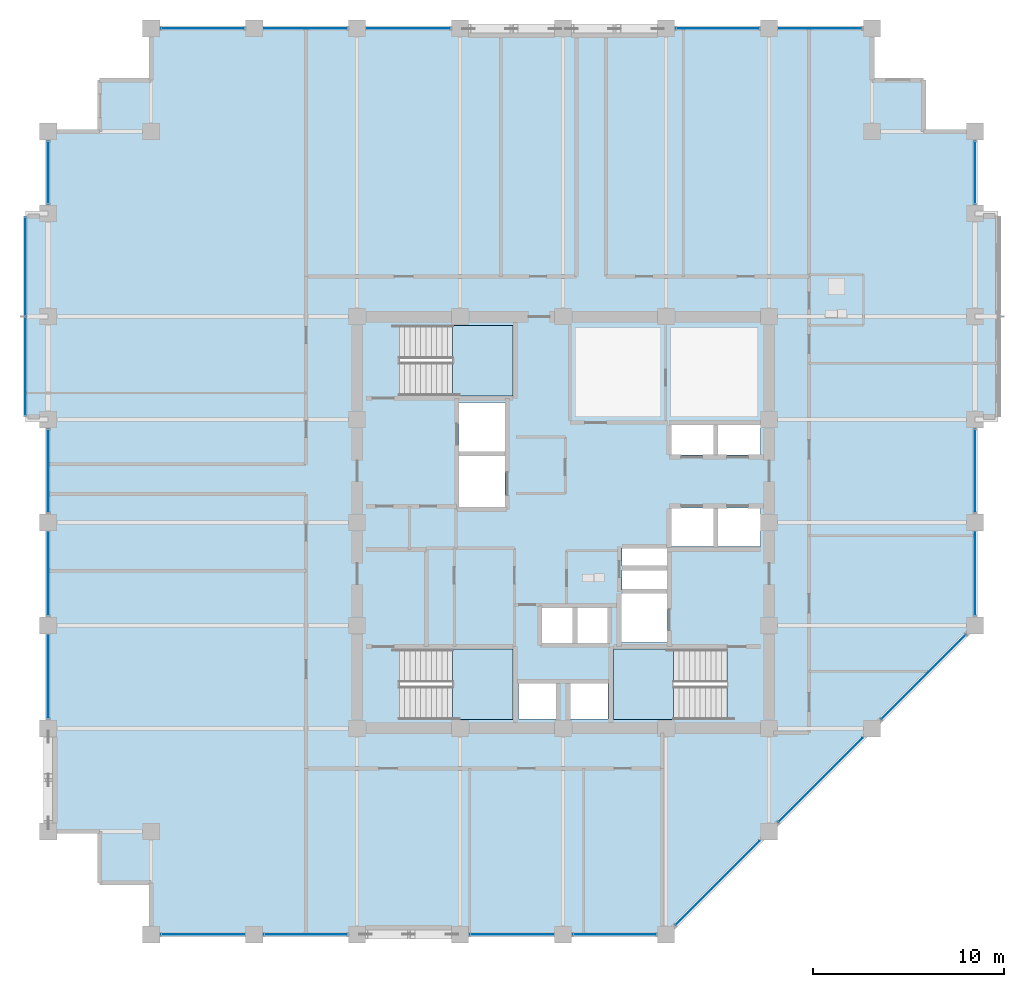
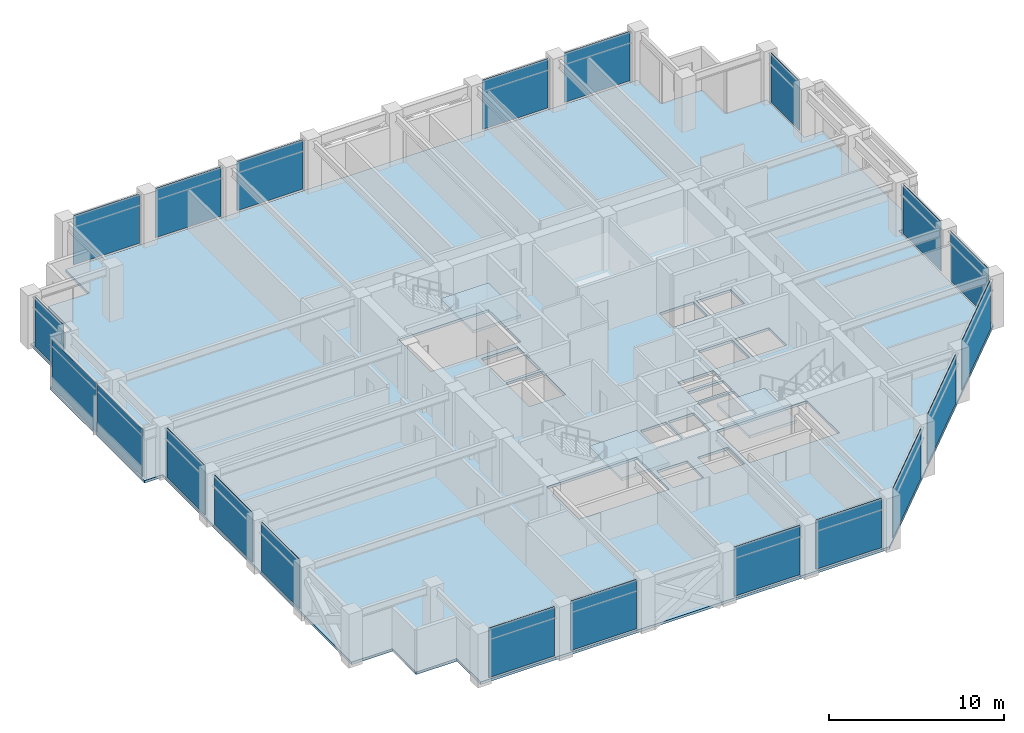
# One storey, part 25 of 32: 21 plates, 4 slabs, 13 elements without a shape of their own.
"""IFC4 building model written with IfcOpenShell, lengths in metres."""

from ifc_helpers import new_model, si_unit, direction, frame, frame_2d, origin, place, context, subcontext, project, spatial, polyline, rectangle, outline, extrude, material, layer, layer_set, type_object, element, aggregate, save


model = new_model("IFC4")

# Units and contexts
model_context = context("Model", 3, precision=1e-05, world=origin(), true_north=direction((0.0, 1.0)))
body_context = subcontext(model_context, "Body", "Model", "MODEL_VIEW")
ifc_project = project(units=[si_unit("LENGTHUNIT", "METRE"), si_unit("AREAUNIT", "SQUARE_METRE"), si_unit("VOLUMEUNIT", "CUBIC_METRE"), si_unit("PLANEANGLEUNIT", "RADIAN"), si_unit("MASSUNIT", "GRAM", prefix="KILO")], contexts=[model_context])

# Site, building, storey
site_placement = place(None, origin())
site = spatial("IfcSite", under=ifc_project, at=site_placement, CompositionType="ELEMENT")
building_placement = place(site_placement, origin())
building = spatial("IfcBuilding", under=site, at=building_placement, Name="Surkhivell Harbour Commons", CompositionType="ELEMENT")
storey_placement = place(building_placement, frame((0.0, 0.0, 189.75)))
storey = spatial("IfcBuildingStorey", under=building, at=storey_placement, Name="L49", CompositionType="ELEMENT", Elevation=189.75)

# Curtain wall, plates
ifc_material_1 = material(Name="Anodised pale-metal aluminium and insulated glazing", Category="aluminium")
ifc_layer_1 = layer(ifc_material_1, 0.1650390625)
ifc_layer_set_1 = layer_set([ifc_layer_1], Name="Anodised pale-metal aluminium and insulated glazing")
curtain_wall_type_1 = type_object("IfcCurtainWallType", Name="CW-SYS-BOX", PredefinedType="NOTDEFINED", material=ifc_layer_set_1)
curtain_wall_1_placement = place(storey_placement, origin())
curtain_wall_1 = element("IfcCurtainWall", 1, at=curtain_wall_1_placement, inside=storey, type_object=curtain_wall_type_1, Name="L49 Curtain Wall CW-L49-BOX02", PredefinedType="NOTDEFINED")
ifc_material_2 = material(Name="Triple-glazed bay-cluster vision glass", Category="glass")
ifc_layer_2 = layer(ifc_material_2, 0.028076171875)
ifc_layer_set_2 = layer_set([ifc_layer_2], Name="Triple-glazed bay-cluster vision glass")
plate_type_1 = type_object("IfcPlateType", Name="CWP-GLZ-28", PredefinedType="CURTAIN_PANEL", material=ifc_layer_set_2)
plate_1_placement = place(storey_placement, frame((-28.199951171875, 5.6201171875, 0.1298828125), z_axis=(0.0, 0.0, 1.0), x_axis=(0.0, 1.0, 0.0)))
plate_1 = element("IfcPlate", 2, at=plate_1_placement, type_object=plate_type_1, Name="CW-BOX panel 1.1", PredefinedType="CURTAIN_PANEL", context=body_context, shape_type="SweptSolid", body=[
    extrude(rectangle(XDim=5.144775390625, YDim=0.028076171875, at=frame_2d((2.572265625, 0.0))), origin(), (0.0, 0.0, 1.0), 3.31005859375),
])
plate_2_placement = place(storey_placement, frame((-28.199951171875, 10.8349609375, 0.1298828125), z_axis=(0.0, 0.0, 1.0), x_axis=(0.0, 1.0, 0.0)))
plate_2 = element("IfcPlate", 3, at=plate_2_placement, type_object=plate_type_1, Name="CW-BOX panel 2.1", PredefinedType="CURTAIN_PANEL", context=body_context, shape_type="SweptSolid", body=[
    extrude(rectangle(XDim=5.14501953125, YDim=0.028076171875, at=frame_2d((2.572509765625, 0.0))), origin(), (0.0, 0.0, 1.0), 3.31005859375),
])
aggregate(curtain_wall_1, [plate_1, plate_2])

ifc_layer_3 = layer(ifc_material_1, 0.18994140625)
ifc_layer_set_3 = layer_set([ifc_layer_3], Name="Anodised pale-metal aluminium and insulated glazing")
curtain_wall_type_2 = type_object("IfcCurtainWallType", Name="CW-SYS-Z3", PredefinedType="NOTDEFINED", material=ifc_layer_set_3)
curtain_wall_2_placement = place(storey_placement, origin())
curtain_wall_2 = element("IfcCurtainWall", 4, at=curtain_wall_2_placement, inside=storey, type_object=curtain_wall_type_2, Name="L49 Curtain Wall CW-L49-E00S1", PredefinedType="NOTDEFINED")
ifc_material_3 = material(Name="High-pressure typhoon laminated vision glass", Category="glass")
ifc_layer_4 = layer(ifc_material_3, 0.035888671875)
ifc_layer_set_4 = layer_set([ifc_layer_4], Name="High-pressure typhoon laminated vision glass")
plate_type_2 = type_object("IfcPlateType", Name="CWP-GLZ-36", PredefinedType="CURTAIN_PANEL", material=ifc_layer_set_4)
plate_3_placement = place(storey_placement, frame((-21.072998046875, -21.60009765625, 0.1298828125), z_axis=(0.0, 0.0, 1.0), x_axis=(1.0, 0.0, 0.0)))
plate_3 = element("IfcPlate", 5, at=plate_3_placement, type_object=plate_type_2, Name="CW-Z3 panel 1.1", PredefinedType="CURTAIN_PANEL", context=body_context, shape_type="SweptSolid", body=[
    extrude(rectangle(XDim=4.345947265625, YDim=0.035888671875, at=frame_2d((2.1728515625, 0.0))), origin(), (0.0, 0.0, 1.0), 3.440185546875),
])
plate_4_placement = place(storey_placement, frame((-15.673095703125, -21.60009765625, 0.1298828125), z_axis=(0.0, 0.0, 1.0), x_axis=(1.0, 0.0, 0.0)))
plate_4 = element("IfcPlate", 6, at=plate_4_placement, type_object=plate_type_2, Name="CW-Z3 panel 2.1", PredefinedType="CURTAIN_PANEL", context=body_context, shape_type="SweptSolid", body=[
    extrude(rectangle(XDim=4.34619140625, YDim=0.035888671875, at=frame_2d((2.173095703125, 0.0))), origin(), (0.0, 0.0, 1.0), 3.440185546875),
])
aggregate(curtain_wall_2, [plate_3, plate_4])

curtain_wall_3_placement = place(storey_placement, origin())
curtain_wall_3 = element("IfcCurtainWall", 7, at=curtain_wall_3_placement, inside=storey, type_object=curtain_wall_type_2, Name="L49 Curtain Wall CW-L49-E00S2", PredefinedType="NOTDEFINED")
plate_5_placement = place(storey_placement, frame((-4.873046875, -21.60009765625, 0.1298828125), z_axis=(0.0, 0.0, 1.0), x_axis=(1.0, 0.0, 0.0)))
plate_5 = element("IfcPlate", 8, at=plate_5_placement, type_object=plate_type_2, Name="CW-Z3 panel 1.1", PredefinedType="CURTAIN_PANEL", context=body_context, shape_type="SweptSolid", body=[
    extrude(rectangle(XDim=4.345947265625, YDim=0.035888671875, at=frame_2d((2.1728515625, 0.0))), origin(), (0.0, 0.0, 1.0), 3.440185546875),
])
plate_6_placement = place(storey_placement, frame((0.527099609375, -21.60009765625, 0.1298828125), z_axis=(0.0, 0.0, 1.0), x_axis=(1.0, 0.0, 0.0)))
plate_6 = element("IfcPlate", 9, at=plate_6_placement, type_object=plate_type_2, Name="CW-Z3 panel 2.1", PredefinedType="CURTAIN_PANEL", context=body_context, shape_type="SweptSolid", body=[
    extrude(rectangle(XDim=4.345947265625, YDim=0.035888671875, at=frame_2d((2.1728515625, 0.0))), origin(), (0.0, 0.0, 1.0), 3.440185546875),
])
aggregate(curtain_wall_3, [plate_5, plate_6])

curtain_wall_4_placement = place(storey_placement, origin())
curtain_wall_4 = element("IfcCurtainWall", 10, at=curtain_wall_4_placement, inside=storey, type_object=curtain_wall_type_2, Name="L49 Curtain Wall CW-L49-E01", PredefinedType="NOTDEFINED")
plate_7_placement = place(storey_placement, frame((5.90478515625, -21.09521484375, 0.1298828125), z_axis=(0.0, 0.0, 1.0), x_axis=(0.707106781187, 0.707106781187, 0.0)))
plate_7 = element("IfcPlate", 11, at=plate_7_placement, type_object=plate_type_2, Name="CW-Z3 panel 1.1", PredefinedType="CURTAIN_PANEL", context=body_context, shape_type="SweptSolid", body=[
    extrude(rectangle(XDim=6.209228515625, YDim=0.035888671875, at=frame_2d((3.1044921875, 0.0))), origin(), (0.0, 0.0, 1.0), 3.440185546875),
])
plate_8_placement = place(storey_placement, frame((11.3046875, -15.6953125, 0.1298828125), z_axis=(0.0, 0.0, 1.0), x_axis=(0.707106781187, 0.707106781187, 0.0)))
plate_8 = element("IfcPlate", 12, at=plate_8_placement, type_object=plate_type_2, Name="CW-Z3 panel 2.1", PredefinedType="CURTAIN_PANEL", context=body_context, shape_type="SweptSolid", body=[
    extrude(rectangle(XDim=6.209228515625, YDim=0.035888671875, at=frame_2d((3.1044921875, 0.0))), origin(), (0.0, 0.0, 1.0), 3.440185546875),
])
plate_9_placement = place(storey_placement, frame((16.70458984375, -10.29541015625, 0.1298828125), z_axis=(0.0, 0.0, 1.0), x_axis=(0.707106781187, 0.707106781187, 0.0)))
plate_9 = element("IfcPlate", 13, at=plate_9_placement, type_object=plate_type_2, Name="CW-Z3 panel 3.1", PredefinedType="CURTAIN_PANEL", context=body_context, shape_type="SweptSolid", body=[
    extrude(rectangle(XDim=6.209228515625, YDim=0.035888671875, at=frame_2d((3.1044921875, 0.0))), origin(), (0.0, 0.0, 1.0), 3.440185546875),
])
aggregate(curtain_wall_4, [plate_7, plate_8, plate_9])

curtain_wall_5_placement = place(storey_placement, origin())
curtain_wall_5 = element("IfcCurtainWall", 14, at=curtain_wall_5_placement, inside=storey, type_object=curtain_wall_type_2, Name="L49 Curtain Wall CW-L49-E02R1", PredefinedType="NOTDEFINED")
plate_10_placement = place(storey_placement, frame((21.60009765625, -4.873046875, 0.1298828125), z_axis=(0.0, 0.0, 1.0), x_axis=(0.0, 1.0, 0.0)))
plate_10 = element("IfcPlate", 15, at=plate_10_placement, type_object=plate_type_2, Name="CW-Z3 panel 1.1", PredefinedType="CURTAIN_PANEL", context=body_context, shape_type="SweptSolid", body=[
    extrude(rectangle(XDim=4.345947265625, YDim=0.035888671875, at=frame_2d((2.1728515625, 0.0))), origin(), (0.0, 0.0, 1.0), 3.440185546875),
])
plate_11_placement = place(storey_placement, frame((21.60009765625, 0.527099609375, 0.1298828125), z_axis=(0.0, 0.0, 1.0), x_axis=(0.0, 1.0, 0.0)))
plate_11 = element("IfcPlate", 16, at=plate_11_placement, type_object=plate_type_2, Name="CW-Z3 panel 2.1", PredefinedType="CURTAIN_PANEL", context=body_context, shape_type="SweptSolid", body=[
    extrude(rectangle(XDim=4.345947265625, YDim=0.035888671875, at=frame_2d((2.1728515625, 0.0))), origin(), (0.0, 0.0, 1.0), 3.440185546875),
])
aggregate(curtain_wall_5, [plate_10, plate_11])

# Curtain wall, plate
curtain_wall_6_placement = place(storey_placement, origin())
curtain_wall_6 = element("IfcCurtainWall", 17, at=curtain_wall_6_placement, inside=storey, type_object=curtain_wall_type_2, Name="L49 Curtain Wall CW-L49-E02R2", PredefinedType="NOTDEFINED")
plate_12_placement = place(storey_placement, frame((21.60009765625, 16.72705078125, 0.1298828125), z_axis=(0.0, 0.0, 1.0), x_axis=(0.0, 1.0, 0.0)))
plate_12 = element("IfcPlate", 18, at=plate_12_placement, type_object=plate_type_2, Name="CW-Z3 panel 1.1", PredefinedType="CURTAIN_PANEL", context=body_context, shape_type="SweptSolid", body=[
    extrude(rectangle(XDim=3.245849609375, YDim=0.035888671875, at=frame_2d((1.623046875, 0.0))), origin(), (0.0, 0.0, 1.0), 3.440185546875),
])
aggregate(curtain_wall_6, [plate_12])

# Curtain wall, plates
curtain_wall_7_placement = place(storey_placement, origin())
curtain_wall_7 = element("IfcCurtainWall", 19, at=curtain_wall_7_placement, inside=storey, type_object=curtain_wall_type_2, Name="L49 Curtain Wall CW-L49-E07S1", PredefinedType="NOTDEFINED")
plate_13_placement = place(storey_placement, frame((15.673095703125, 25.89990234375, 0.1298828125), z_axis=(0.0, 0.0, 1.0), x_axis=(-1.0, 0.0, 0.0)))
plate_13 = element("IfcPlate", 20, at=plate_13_placement, type_object=plate_type_2, Name="CW-Z3 panel 1.1", PredefinedType="CURTAIN_PANEL", context=body_context, shape_type="SweptSolid", body=[
    extrude(rectangle(XDim=4.34619140625, YDim=0.035888671875, at=frame_2d((2.173095703125, 0.0))), origin(), (0.0, 0.0, 1.0), 3.440185546875),
])
plate_14_placement = place(storey_placement, frame((10.27294921875, 25.89990234375, 0.1298828125), z_axis=(0.0, 0.0, 1.0), x_axis=(-1.0, 0.0, 0.0)))
plate_14 = element("IfcPlate", 21, at=plate_14_placement, type_object=plate_type_2, Name="CW-Z3 panel 2.1", PredefinedType="CURTAIN_PANEL", context=body_context, shape_type="SweptSolid", body=[
    extrude(rectangle(XDim=4.345947265625, YDim=0.035888671875, at=frame_2d((2.1728515625, 0.0))), origin(), (0.0, 0.0, 1.0), 3.440185546875),
])
aggregate(curtain_wall_7, [plate_13, plate_14])

curtain_wall_8_placement = place(storey_placement, origin())
curtain_wall_8 = element("IfcCurtainWall", 22, at=curtain_wall_8_placement, inside=storey, type_object=curtain_wall_type_2, Name="L49 Curtain Wall CW-L49-E07S2", PredefinedType="NOTDEFINED")
plate_15_placement = place(storey_placement, frame((-5.927001953125, 25.89990234375, 0.1298828125), z_axis=(0.0, 0.0, 1.0), x_axis=(-1.0, 0.0, 0.0)))
plate_15 = element("IfcPlate", 23, at=plate_15_placement, type_object=plate_type_2, Name="CW-Z3 panel 1.1", PredefinedType="CURTAIN_PANEL", context=body_context, shape_type="SweptSolid", body=[
    extrude(rectangle(XDim=4.345947265625, YDim=0.035888671875, at=frame_2d((2.1728515625, 0.0))), origin(), (0.0, 0.0, 1.0), 3.440185546875),
])
plate_16_placement = place(storey_placement, frame((-11.326904296875, 25.89990234375, 0.1298828125), z_axis=(0.0, 0.0, 1.0), x_axis=(-1.0, 0.0, 0.0)))
plate_16 = element("IfcPlate", 24, at=plate_16_placement, type_object=plate_type_2, Name="CW-Z3 panel 2.1", PredefinedType="CURTAIN_PANEL", context=body_context, shape_type="SweptSolid", body=[
    extrude(rectangle(XDim=4.34619140625, YDim=0.035888671875, at=frame_2d((2.173095703125, 0.0))), origin(), (0.0, 0.0, 1.0), 3.440185546875),
])
plate_17_placement = place(storey_placement, frame((-16.72705078125, 25.89990234375, 0.1298828125), z_axis=(0.0, 0.0, 1.0), x_axis=(-1.0, 0.0, 0.0)))
plate_17 = element("IfcPlate", 25, at=plate_17_placement, type_object=plate_type_2, Name="CW-Z3 panel 3.1", PredefinedType="CURTAIN_PANEL", context=body_context, shape_type="SweptSolid", body=[
    extrude(rectangle(XDim=4.345947265625, YDim=0.035888671875, at=frame_2d((2.1728515625, 0.0))), origin(), (0.0, 0.0, 1.0), 3.440185546875),
])
aggregate(curtain_wall_8, [plate_15, plate_16, plate_17])

curtain_wall_9_placement = place(storey_placement, origin())
curtain_wall_9 = element("IfcCurtainWall", 26, at=curtain_wall_9_placement, inside=storey, type_object=curtain_wall_type_2, Name="L49 Curtain Wall CW-L49-E12R1S1", PredefinedType="NOTDEFINED")
plate_18_placement = place(storey_placement, frame((-27.0, -10.27294921875, 0.1298828125), z_axis=(0.0, 0.0, 1.0), x_axis=(0.0, 1.0, 0.0)))
plate_18 = element("IfcPlate", 27, at=plate_18_placement, type_object=plate_type_2, Name="CW-Z3 panel 1.1", PredefinedType="CURTAIN_PANEL", context=body_context, shape_type="SweptSolid", body=[
    extrude(rectangle(XDim=4.345947265625, YDim=0.035888671875, at=frame_2d((2.1728515625, 0.0))), origin(), (0.0, 0.0, 1.0), 3.440185546875),
])
plate_19_placement = place(storey_placement, frame((-27.0, -4.873046875, 0.1298828125), z_axis=(0.0, 0.0, 1.0), x_axis=(0.0, 1.0, 0.0)))
plate_19 = element("IfcPlate", 28, at=plate_19_placement, type_object=plate_type_2, Name="CW-Z3 panel 2.1", PredefinedType="CURTAIN_PANEL", context=body_context, shape_type="SweptSolid", body=[
    extrude(rectangle(XDim=4.345947265625, YDim=0.035888671875, at=frame_2d((2.1728515625, 0.0))), origin(), (0.0, 0.0, 1.0), 3.440185546875),
])
plate_20_placement = place(storey_placement, frame((-27.0, 0.527099609375, 0.1298828125), z_axis=(0.0, 0.0, 1.0), x_axis=(0.0, 1.0, 0.0)))
plate_20 = element("IfcPlate", 29, at=plate_20_placement, type_object=plate_type_2, Name="CW-Z3 panel 3.1", PredefinedType="CURTAIN_PANEL", context=body_context, shape_type="SweptSolid", body=[
    extrude(rectangle(XDim=4.345947265625, YDim=0.035888671875, at=frame_2d((2.1728515625, 0.0))), origin(), (0.0, 0.0, 1.0), 3.440185546875),
])
aggregate(curtain_wall_9, [plate_18, plate_19, plate_20])

# Curtain wall, plate
curtain_wall_10_placement = place(storey_placement, origin())
curtain_wall_10 = element("IfcCurtainWall", 30, at=curtain_wall_10_placement, inside=storey, type_object=curtain_wall_type_2, Name="L49 Curtain Wall CW-L49-E12R2", PredefinedType="NOTDEFINED")
plate_21_placement = place(storey_placement, frame((-27.0, 16.72705078125, 0.1298828125), z_axis=(0.0, 0.0, 1.0), x_axis=(0.0, 1.0, 0.0)))
plate_21 = element("IfcPlate", 31, at=plate_21_placement, type_object=plate_type_2, Name="CW-Z3 panel 1.1", PredefinedType="CURTAIN_PANEL", context=body_context, shape_type="SweptSolid", body=[
    extrude(rectangle(XDim=3.245849609375, YDim=0.035888671875, at=frame_2d((1.623046875, 0.0))), origin(), (0.0, 0.0, 1.0), 3.440185546875),
])
aggregate(curtain_wall_10, [plate_21])

# Stair, slab
ifc_material_4 = material(Name="Precast concrete C45/55", Category="concrete")
stair_type = type_object("IfcStairType", Name="STR-DL-375", PredefinedType="HALF_TURN_STAIR", material=ifc_material_4)
stair_1_placement = place(storey_placement, origin())
stair_1 = element("IfcStair", 32, at=stair_1_placement, inside=storey, type_object=stair_type, Name="L49 Core Exit Stair ST1", PredefinedType="HALF_TURN_STAIR")
ifc_material_5 = material(Name="Reinforced concrete C45/55", Category="concrete")
ifc_layer_5 = layer(ifc_material_5, 0.199951171875)
ifc_layer_set_5 = layer_set([ifc_layer_5], Name="Reinforced concrete C45/55")
slab_type_1 = type_object("IfcSlabType", Name="SLB-ST-LND200", PredefinedType="LANDING", material=ifc_layer_set_5)
slab_1_placement = place(storey_placement, frame((0.0, 0.0, 1.675048828125)))
slab_1 = element("IfcSlab", 33, at=slab_1_placement, type_object=slab_type_1, Name="ST1 landing 1", PredefinedType="LANDING", context=body_context, shape_type="SweptSolid", body=[
    extrude(outline(polyline([(-5.7900390625, 6.639892578125), (-2.639892578125, 6.639892578125), (-2.639892578125, 10.340087890625), (-5.7900390625, 10.340087890625), (-5.7900390625, 6.639892578125)])), origin(), (0.0, 0.0, 1.0), 0.199951171875),
])
aggregate(stair_1, [slab_1])

stair_2_placement = place(storey_placement, origin())
stair_2 = element("IfcStair", 34, at=stair_2_placement, inside=storey, type_object=stair_type, Name="L49 Core Exit Stair ST2", PredefinedType="HALF_TURN_STAIR")
slab_2_placement = place(storey_placement, frame((0.0, 0.0, 1.675048828125)))
slab_2 = element("IfcSlab", 35, at=slab_2_placement, type_object=slab_type_1, Name="ST2 landing 1", PredefinedType="LANDING", context=body_context, shape_type="SweptSolid", body=[
    extrude(outline(polyline([(5.7900390625, -6.639892578125), (2.639892578125, -6.639892578125), (2.639892578125, -10.340087890625), (5.7900390625, -10.340087890625), (5.7900390625, -6.639892578125)])), origin(), (0.0, 0.0, 1.0), 0.199951171875),
])
aggregate(stair_2, [slab_2])

stair_3_placement = place(storey_placement, origin())
stair_3 = element("IfcStair", 36, at=stair_3_placement, inside=storey, type_object=stair_type, Name="L49 Core Exit Stair ST3", PredefinedType="HALF_TURN_STAIR")
slab_3_placement = place(storey_placement, frame((0.0, 0.0, 1.675048828125)))
slab_3 = element("IfcSlab", 37, at=slab_3_placement, type_object=slab_type_1, Name="ST3 landing 1", PredefinedType="LANDING", context=body_context, shape_type="SweptSolid", body=[
    extrude(outline(polyline([(-5.7900390625, -10.340087890625), (-2.639892578125, -10.340087890625), (-2.639892578125, -6.639892578125), (-5.7900390625, -6.639892578125), (-5.7900390625, -10.340087890625)])), origin(), (0.0, 0.0, 1.0), 0.199951171875),
])
aggregate(stair_3, [slab_3])

# Slab
ifc_material_6 = material(Name="Concrete C45/55", Category="concrete")
ifc_layer_6 = layer(ifc_material_6, 0.179931640625)
ifc_layer_set_6 = layer_set([ifc_layer_6], Name="Concrete C45/55")
slab_type_2 = type_object("IfcSlabType", Name="SLB-TYP-180", PredefinedType="FLOOR", material=ifc_layer_set_6)
slab_4_placement = place(storey_placement, frame((0.0, 0.0, -0.179931640625)))
element("IfcSlab", 38, at=slab_4_placement, inside=storey, type_object=slab_type_2, Name="L49 Structural Floor Slab", PredefinedType="FLOOR", context=body_context, shape_type="SweptSolid", body=[
    extrude(outline(polyline([(-27.0, 20.5), (-27.0, 16.199951171875), (-28.199951171875, 16.199951171875), (-28.199951171875, 5.39990234375), (-27.0, 5.39990234375), (-27.0, -16.199951171875), (-24.300048828125, -16.199951171875), (-24.300048828125, -18.89990234375), (-21.60009765625, -18.89990234375), (-21.60009765625, -21.60009765625), (5.39990234375, -21.60009765625), (21.60009765625, -5.39990234375), (21.60009765625, 5.39990234375), (22.800048828125, 5.39990234375), (22.800048828125, 16.199951171875), (21.60009765625, 16.199951171875), (21.60009765625, 20.5), (18.89990234375, 20.5), (18.89990234375, 23.199951171875), (16.199951171875, 23.199951171875), (16.199951171875, 25.89990234375), (-21.60009765625, 25.89990234375), (-21.60009765625, 23.199951171875), (-24.300048828125, 23.199951171875), (-24.300048828125, 20.5), (-27.0, 20.5)]), holes=[polyline([(-8.590087890625, 6.639892578125), (-2.639892578125, 6.639892578125), (-2.639892578125, 10.340087890625), (-8.590087890625, 10.340087890625), (-8.590087890625, 6.639892578125)]), polyline([(8.590087890625, -6.639892578125), (2.639892578125, -6.639892578125), (2.639892578125, -10.340087890625), (8.590087890625, -10.340087890625), (8.590087890625, -6.639892578125)]), polyline([(-8.590087890625, -10.340087890625), (-2.639892578125, -10.340087890625), (-2.639892578125, -6.639892578125), (-8.590087890625, -6.639892578125), (-8.590087890625, -10.340087890625)]), polyline([(5.64990234375, 3.550048828125), (7.89990234375, 3.550048828125), (7.89990234375, 5.14990234375), (5.64990234375, 5.14990234375), (5.64990234375, 3.550048828125)]), polyline([(8.10009765625, 3.550048828125), (10.35009765625, 3.550048828125), (10.35009765625, 5.14990234375), (8.10009765625, 5.14990234375), (8.10009765625, 3.550048828125)]), polyline([(5.64990234375, -1.25), (7.89990234375, -1.25), (7.89990234375, 0.75), (5.64990234375, 0.75), (5.64990234375, -1.25)]), polyline([(8.10009765625, -1.25), (10.35009765625, -1.25), (10.35009765625, 0.75), (8.10009765625, 0.75), (8.10009765625, -1.25)]), polyline([(-1.14990234375, -6.35009765625), (0.550048828125, -6.35009765625), (0.550048828125, -4.449951171875), (-1.14990234375, -4.449951171875), (-1.14990234375, -6.35009765625)]), polyline([(0.679931640625, -6.35009765625), (2.3798828125, -6.35009765625), (2.3798828125, -4.449951171875), (0.679931640625, -4.449951171875), (0.679931640625, -6.35009765625)]), polyline([(-2.35009765625, -10.300048828125), (-0.35009765625, -10.300048828125), (-0.35009765625, -8.39990234375), (-2.35009765625, -8.39990234375), (-2.35009765625, -10.300048828125)]), polyline([(0.35009765625, -10.300048828125), (2.35009765625, -10.300048828125), (2.35009765625, -8.39990234375), (0.35009765625, -8.39990234375), (0.35009765625, -10.300048828125)]), polyline([(-5.449951171875, 3.699951171875), (-3.050048828125, 3.699951171875), (-3.050048828125, 6.300048828125), (-5.449951171875, 6.300048828125), (-5.449951171875, 3.699951171875)]), polyline([(3.050048828125, -6.300048828125), (5.449951171875, -6.300048828125), (5.449951171875, -3.699951171875), (3.050048828125, -3.699951171875), (3.050048828125, -6.300048828125)]), polyline([(-5.449951171875, 0.800048828125), (-3.050048828125, 0.800048828125), (-3.050048828125, 3.5), (-5.449951171875, 3.5), (-5.449951171875, 0.800048828125)]), polyline([(3.10009765625, -3.550048828125), (5.449951171875, -3.550048828125), (5.449951171875, -2.47998046875), (3.10009765625, -2.47998046875), (3.10009765625, -3.550048828125)]), polyline([(3.10009765625, -2.280029296875), (5.449951171875, -2.280029296875), (5.449951171875, -1.35009765625), (3.10009765625, -1.35009765625), (3.10009765625, -2.280029296875)])]), origin(), (0.0, 0.0, 1.0), 0.179931640625),
])

save(model, "model.ifc")
